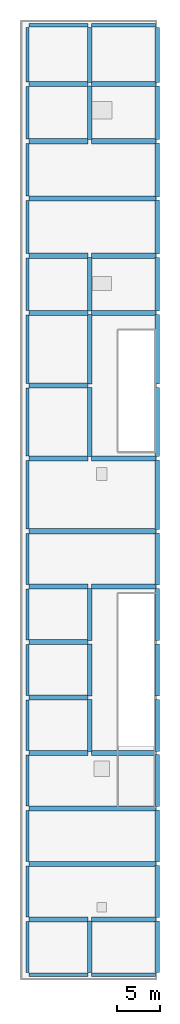
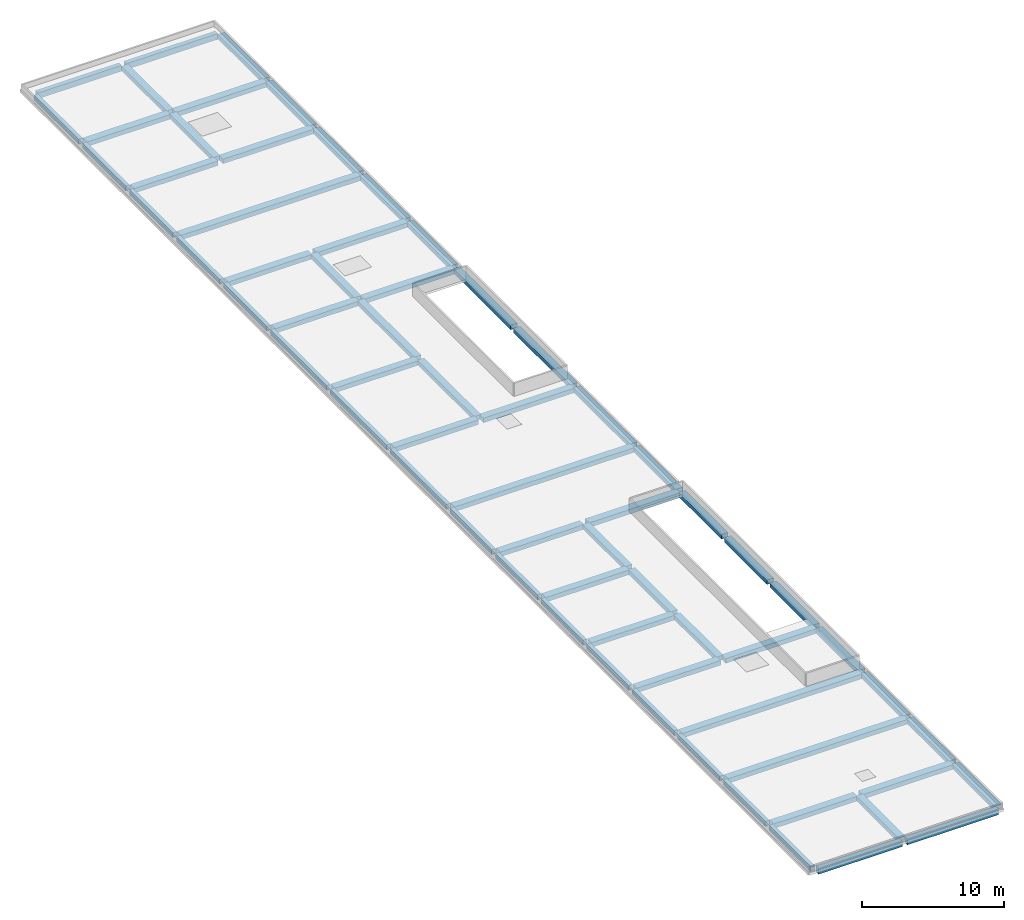
# One storey, part 1 of 3: 68 beams.
"""IFC4 building model written with IfcOpenShell, lengths in metres."""

from ifc_helpers import new_model, si_unit, derived_unit, direction, frame, origin, origin_2d, place, context, subcontext, project, spatial, rectangle, extrude, material, material_profile, profile_set, type_object, element, save


model = new_model("IFC4")

# Units and contexts
model_context = context("Model", 3, precision=1e-05, world=origin(), true_north=direction((0.0, 1.0)))
body_context = subcontext(model_context, "Body", "Model", "MODEL_VIEW")
ifc_project = project(units=[si_unit("LENGTHUNIT", "METRE"), si_unit("AREAUNIT", "SQUARE_METRE"), si_unit("VOLUMEUNIT", "CUBIC_METRE"), si_unit("PLANEANGLEUNIT", "RADIAN"), si_unit("MASSUNIT", "GRAM", prefix="KILO"), derived_unit("THERMALTRANSMITTANCEUNIT", [(si_unit("POWERUNIT", "WATT"), 1), (si_unit("LENGTHUNIT", "METRE"), -2), (si_unit("THERMODYNAMICTEMPERATUREUNIT", "KELVIN"), -1)])], contexts=[model_context])

# Site, building, storey
site_placement = place(None, origin())
site = spatial("IfcSite", under=ifc_project, at=site_placement, CompositionType="ELEMENT")
building_placement = place(site_placement, origin())
building = spatial("IfcBuilding", under=site, at=building_placement, Name="Braskholm Square Health Centre", CompositionType="ELEMENT")
storey_placement = place(building_placement, frame((0.0, 0.0, 25.64990234375)))
storey = spatial("IfcBuildingStorey", under=building, at=storey_placement, Name="ROOF", CompositionType="ELEMENT", Elevation=25.64990234375)

# Beams
ifc_material_1 = material(Name="Concrete C35/45 (f'c = 35 MPa)", Category="concrete")
ifc_material_profile_1 = material_profile(ifc_material_1, rectangle(XDim=0.550048828125, YDim=0.3798828125, at=origin_2d()), Name="RCB-550X380")
ifc_profile_set_1 = profile_set([ifc_material_profile_1], Name="Concrete C35/45 (f'c = 35 MPa)")
beam_type_1 = type_object("IfcBeamType", Name="PrimaryBandBeam550x380", PredefinedType="BEAM", material=ifc_profile_set_1)
beam_1_placement = place(storey_placement, frame((11.39990234375, 4.4599609375, -0.39990234375), z_axis=(0.0, 1.0, 0.0), x_axis=(-1.0, 0.0, 0.0)))
element("IfcBeam", 1, at=beam_1_placement, inside=storey, type_object=beam_type_1, Name="Beam 2/A-B ROOF", PredefinedType="BEAM", context=body_context, shape_type="SweptSolid", body=[
    extrude(rectangle(XDim=0.550048828125, YDim=0.3798828125, at=origin_2d()), origin(), (0.0, 0.0, 1.0), 5.93994140625),
])
for number, where, z_axis, x_axis, name in (
    (2, (11.39990234375, 30.0, -0.39990234375), (0.0, 1.0, 0.0), (-1.0, 0.0, 0.0), "Beam 2/E-F ROOF"),
    (3, (11.39990234375, 36.39990234375, -0.39990234375), (0.0, 1.0, 0.0), (-1.0, 0.0, 0.0), "Beam 2/F-G ROOF"),
    (4, (11.39990234375, 42.800048828125, -0.39990234375), (0.0, 1.0, 0.0), (-1.0, 0.0, 0.0), "Beam 2/G-H ROOF"),
):
    element("IfcBeam", number, at=place(storey_placement, frame(where, z_axis=z_axis, x_axis=x_axis)), inside=storey, type_object=beam_type_1, Name=name, PredefinedType="BEAM", context=body_context, shape_type="SweptSolid", body=[
        extrude(rectangle(XDim=0.550048828125, YDim=0.3798828125, at=origin_2d()), origin(), (0.0, 0.0, 1.0), 6.0),
    ])
for number, where, z_axis, x_axis, name in (
    (5, (11.39990234375, 64.0, -0.39990234375), (0.0, 1.0, 0.0), (-1.0, 0.0, 0.0), "Beam 2/K-L ROOF"),
    (6, (11.39990234375, 72.39990234375, -0.39990234375), (0.0, 1.0, 0.0), (-1.0, 0.0, 0.0), "Beam 2/L-M ROOF"),
):
    element("IfcBeam", number, at=place(storey_placement, frame(where, z_axis=z_axis, x_axis=x_axis)), inside=storey, type_object=beam_type_1, Name=name, PredefinedType="BEAM", context=body_context, shape_type="SweptSolid", body=[
        extrude(rectangle(XDim=0.550048828125, YDim=0.3798828125, at=origin_2d()), origin(), (0.0, 0.0, 1.0), 8.0),
    ])
for number, where, z_axis, x_axis, name in (
    (7, (11.39990234375, 80.800048828125, -0.39990234375), (0.0, 1.0, 0.0), (-1.0, 0.0, 0.0), "Beam 2/M-N ROOF"),
    (8, (11.39990234375, 100.60009765625, -0.39990234375), (0.0, 1.0, 0.0), (-1.0, 0.0, 0.0), "Beam 2/Q-R ROOF"),
):
    element("IfcBeam", number, at=place(storey_placement, frame(where, z_axis=z_axis, x_axis=x_axis)), inside=storey, type_object=beam_type_1, Name=name, PredefinedType="BEAM", context=body_context, shape_type="SweptSolid", body=[
        extrude(rectangle(XDim=0.550048828125, YDim=0.3798828125, at=origin_2d()), origin(), (0.0, 0.0, 1.0), 6.199951171875),
    ])
beam_2_placement = place(storey_placement, frame((11.39990234375, 107.199951171875, -0.39990234375), z_axis=(0.0, 1.0, 0.0), x_axis=(-1.0, 0.0, 0.0)))
element("IfcBeam", 9, at=beam_2_placement, inside=storey, type_object=beam_type_1, Name="Beam 2/R-S ROOF", PredefinedType="BEAM", context=body_context, shape_type="SweptSolid", body=[
    extrude(rectangle(XDim=0.550048828125, YDim=0.3798828125, at=origin_2d()), origin(), (0.0, 0.0, 1.0), 6.340087890625),
])
beam_3_placement = place(storey_placement, frame((19.199951171875, 4.4599609375, -0.39990234375), z_axis=(0.0, 1.0, 0.0), x_axis=(-1.0, 0.0, 0.0)))
element("IfcBeam", 10, at=beam_3_placement, inside=storey, type_object=beam_type_1, Name="Beam 3/A-B ROOF", PredefinedType="BEAM", context=body_context, shape_type="SweptSolid", body=[
    extrude(rectangle(XDim=0.550048828125, YDim=0.3798828125, at=origin_2d()), origin(), (0.0, 0.0, 1.0), 5.93994140625),
])
for number, where, z_axis, x_axis, name in (
    (11, (19.199951171875, 10.800048828125, -0.39990234375), (0.0, 1.0, 0.0), (-1.0, 0.0, 0.0), "Beam 3/B-C ROOF"),
    (12, (19.199951171875, 17.199951171875, -0.39990234375), (0.0, 1.0, 0.0), (-1.0, 0.0, 0.0), "Beam 3/C-D ROOF"),
    (13, (19.199951171875, 23.60009765625, -0.39990234375), (0.0, 1.0, 0.0), (-1.0, 0.0, 0.0), "Beam 3/D-E ROOF"),
    (14, (19.199951171875, 30.0, -0.39990234375), (0.0, 1.0, 0.0), (-1.0, 0.0, 0.0), "Beam 3/E-F ROOF"),
    (15, (19.199951171875, 36.39990234375, -0.39990234375), (0.0, 1.0, 0.0), (-1.0, 0.0, 0.0), "Beam 3/F-G ROOF"),
    (16, (19.199951171875, 42.800048828125, -0.39990234375), (0.0, 1.0, 0.0), (-1.0, 0.0, 0.0), "Beam 3/G-H ROOF"),
    (17, (19.199951171875, 49.199951171875, -0.39990234375), (0.0, 1.0, 0.0), (-1.0, 0.0, 0.0), "Beam 3/H-J ROOF"),
):
    element("IfcBeam", number, at=place(storey_placement, frame(where, z_axis=z_axis, x_axis=x_axis)), inside=storey, type_object=beam_type_1, Name=name, PredefinedType="BEAM", context=body_context, shape_type="SweptSolid", body=[
        extrude(rectangle(XDim=0.550048828125, YDim=0.3798828125, at=origin_2d()), origin(), (0.0, 0.0, 1.0), 6.0),
    ])
for number, where, z_axis, x_axis, name in (
    (18, (19.199951171875, 55.60009765625, -0.39990234375), (0.0, 1.0, 0.0), (-1.0, 0.0, 0.0), "Beam 3/J-K ROOF"),
    (19, (19.199951171875, 64.0, -0.39990234375), (0.0, 1.0, 0.0), (-1.0, 0.0, 0.0), "Beam 3/K-L ROOF"),
    (20, (19.199951171875, 72.39990234375, -0.39990234375), (0.0, 1.0, 0.0), (-1.0, 0.0, 0.0), "Beam 3/L-M ROOF"),
):
    element("IfcBeam", number, at=place(storey_placement, frame(where, z_axis=z_axis, x_axis=x_axis)), inside=storey, type_object=beam_type_1, Name=name, PredefinedType="BEAM", context=body_context, shape_type="SweptSolid", body=[
        extrude(rectangle(XDim=0.550048828125, YDim=0.3798828125, at=origin_2d()), origin(), (0.0, 0.0, 1.0), 8.0),
    ])
beam_4_placement = place(storey_placement, frame((19.199951171875, 80.800048828125, -0.39990234375), z_axis=(0.0, 1.0, 0.0), x_axis=(-1.0, 0.0, 0.0)))
element("IfcBeam", 21, at=beam_4_placement, inside=storey, type_object=beam_type_1, Name="Beam 3/M-N ROOF", PredefinedType="BEAM", context=body_context, shape_type="SweptSolid", body=[
    extrude(rectangle(XDim=0.550048828125, YDim=0.3798828125, at=origin_2d()), origin(), (0.0, 0.0, 1.0), 6.199951171875),
])
beam_5_placement = place(storey_placement, frame((19.199951171875, 87.39990234375, -0.39990234375), z_axis=(0.0, 1.0, 0.0), x_axis=(-1.0, 0.0, 0.0)))
element("IfcBeam", 22, at=beam_5_placement, inside=storey, type_object=beam_type_1, Name="Beam 3/N-P ROOF", PredefinedType="BEAM", context=body_context, shape_type="SweptSolid", body=[
    extrude(rectangle(XDim=0.550048828125, YDim=0.3798828125, at=origin_2d()), origin(), (0.0, 0.0, 1.0), 6.2001953125),
])
for number, where, z_axis, x_axis, name in (
    (23, (19.199951171875, 94.0, -0.39990234375), (0.0, 1.0, 0.0), (-1.0, 0.0, 0.0), "Beam 3/P-Q ROOF"),
    (24, (19.199951171875, 100.60009765625, -0.39990234375), (0.0, 1.0, 0.0), (-1.0, 0.0, 0.0), "Beam 3/Q-R ROOF"),
):
    element("IfcBeam", number, at=place(storey_placement, frame(where, z_axis=z_axis, x_axis=x_axis)), inside=storey, type_object=beam_type_1, Name=name, PredefinedType="BEAM", context=body_context, shape_type="SweptSolid", body=[
        extrude(rectangle(XDim=0.550048828125, YDim=0.3798828125, at=origin_2d()), origin(), (0.0, 0.0, 1.0), 6.199951171875),
    ])
beam_6_placement = place(storey_placement, frame((19.199951171875, 107.199951171875, -0.39990234375), z_axis=(0.0, 1.0, 0.0), x_axis=(-1.0, 0.0, 0.0)))
element("IfcBeam", 25, at=beam_6_placement, inside=storey, type_object=beam_type_1, Name="Beam 3/R-S ROOF", PredefinedType="BEAM", context=body_context, shape_type="SweptSolid", body=[
    extrude(rectangle(XDim=0.550048828125, YDim=0.3798828125, at=origin_2d()), origin(), (0.0, 0.0, 1.0), 6.340087890625),
])
ifc_material_profile_2 = material_profile(ifc_material_1, rectangle(XDim=0.60009765625, YDim=0.39990234375, at=origin_2d()), Name="RCB-600X400")
ifc_profile_set_2 = profile_set([ifc_material_profile_2], Name="Concrete C35/45 (f'c = 35 MPa)")
beam_type_2 = type_object("IfcBeamType", Name="PrimaryBandBeam600x400", PredefinedType="BEAM", material=ifc_profile_set_2)
beam_7_placement = place(storey_placement, frame((4.409912109375, 10.60009765625, -0.409912109375), z_axis=(1.0, 0.0, 0.0), x_axis=(0.0, 1.0, 0.0)))
element("IfcBeam", 26, at=beam_7_placement, inside=storey, type_object=beam_type_2, Name="Beam 1-2/B ROOF", PredefinedType="BEAM", context=body_context, shape_type="SweptSolid", body=[
    extrude(rectangle(XDim=0.60009765625, YDim=0.39990234375, at=origin_2d()), origin(), (0.0, 0.0, 1.0), 6.7900390625),
])
beam_8_placement = place(storey_placement, frame((11.60009765625, 10.60009765625, -0.409912109375), z_axis=(1.0, 0.0, 0.0), x_axis=(0.0, 1.0, 0.0)))
element("IfcBeam", 27, at=beam_8_placement, inside=storey, type_object=beam_type_2, Name="Beam 2-3/B ROOF", PredefinedType="BEAM", context=body_context, shape_type="SweptSolid", body=[
    extrude(rectangle(XDim=0.60009765625, YDim=0.39990234375, at=origin_2d()), origin(), (0.0, 0.0, 1.0), 7.39990234375),
])
for number, where, z_axis, x_axis, name in (
    (28, (4.409912109375, 17.0, -0.409912109375), (1.0, 0.0, 0.0), (0.0, 1.0, 0.0), "Beam 1-3/C ROOF"),
    (29, (4.409912109375, 23.39990234375, -0.409912109375), (1.0, 0.0, 0.0), (0.0, 1.0, 0.0), "Beam 1-3/D ROOF"),
):
    element("IfcBeam", number, at=place(storey_placement, frame(where, z_axis=z_axis, x_axis=x_axis)), inside=storey, type_object=beam_type_2, Name=name, PredefinedType="BEAM", context=body_context, shape_type="SweptSolid", body=[
        extrude(rectangle(XDim=0.60009765625, YDim=0.39990234375, at=origin_2d()), origin(), (0.0, 0.0, 1.0), 14.590087890625),
    ])
beam_9_placement = place(storey_placement, frame((4.409912109375, 29.800048828125, -0.409912109375), z_axis=(1.0, 0.0, 0.0), x_axis=(0.0, 1.0, 0.0)))
element("IfcBeam", 30, at=beam_9_placement, inside=storey, type_object=beam_type_2, Name="Beam 1-2/E ROOF", PredefinedType="BEAM", context=body_context, shape_type="SweptSolid", body=[
    extrude(rectangle(XDim=0.60009765625, YDim=0.39990234375, at=origin_2d()), origin(), (0.0, 0.0, 1.0), 6.7900390625),
])
beam_10_placement = place(storey_placement, frame((11.60009765625, 29.800048828125, -0.409912109375), z_axis=(1.0, 0.0, 0.0), x_axis=(0.0, 1.0, 0.0)))
element("IfcBeam", 31, at=beam_10_placement, inside=storey, type_object=beam_type_2, Name="Beam 2-3/E ROOF", PredefinedType="BEAM", context=body_context, shape_type="SweptSolid", body=[
    extrude(rectangle(XDim=0.60009765625, YDim=0.39990234375, at=origin_2d()), origin(), (0.0, 0.0, 1.0), 7.39990234375),
])
for number, where, z_axis, x_axis, name in (
    (32, (4.409912109375, 36.199951171875, -0.409912109375), (1.0, 0.0, 0.0), (0.0, 1.0, 0.0), "Beam 1-2/F ROOF"),
    (33, (4.409912109375, 42.60009765625, -0.409912109375), (1.0, 0.0, 0.0), (0.0, 1.0, 0.0), "Beam 1-2/G ROOF"),
    (34, (4.409912109375, 49.0, -0.409912109375), (1.0, 0.0, 0.0), (0.0, 1.0, 0.0), "Beam 1-2/H ROOF"),
):
    element("IfcBeam", number, at=place(storey_placement, frame(where, z_axis=z_axis, x_axis=x_axis)), inside=storey, type_object=beam_type_2, Name=name, PredefinedType="BEAM", context=body_context, shape_type="SweptSolid", body=[
        extrude(rectangle(XDim=0.60009765625, YDim=0.39990234375, at=origin_2d()), origin(), (0.0, 0.0, 1.0), 6.7900390625),
    ])
beam_11_placement = place(storey_placement, frame((11.60009765625, 49.0, -0.409912109375), z_axis=(1.0, 0.0, 0.0), x_axis=(0.0, 1.0, 0.0)))
element("IfcBeam", 35, at=beam_11_placement, inside=storey, type_object=beam_type_2, Name="Beam 2-3/H ROOF", PredefinedType="BEAM", context=body_context, shape_type="SweptSolid", body=[
    extrude(rectangle(XDim=0.60009765625, YDim=0.39990234375, at=origin_2d()), origin(), (0.0, 0.0, 1.0), 7.39990234375),
])
beam_12_placement = place(storey_placement, frame((4.409912109375, 55.39990234375, -0.409912109375), z_axis=(1.0, 0.0, 0.0), x_axis=(0.0, 1.0, 0.0)))
element("IfcBeam", 36, at=beam_12_placement, inside=storey, type_object=beam_type_2, Name="Beam 1-3/J ROOF", PredefinedType="BEAM", context=body_context, shape_type="SweptSolid", body=[
    extrude(rectangle(XDim=0.60009765625, YDim=0.39990234375, at=origin_2d()), origin(), (0.0, 0.0, 1.0), 14.590087890625),
])
beam_13_placement = place(storey_placement, frame((4.409912109375, 63.800048828125, -0.409912109375), z_axis=(1.0, 0.0, 0.0), x_axis=(0.0, 1.0, 0.0)))
element("IfcBeam", 37, at=beam_13_placement, inside=storey, type_object=beam_type_2, Name="Beam 1-2/K ROOF", PredefinedType="BEAM", context=body_context, shape_type="SweptSolid", body=[
    extrude(rectangle(XDim=0.60009765625, YDim=0.39990234375, at=origin_2d()), origin(), (0.0, 0.0, 1.0), 6.7900390625),
])
beam_14_placement = place(storey_placement, frame((11.60009765625, 63.800048828125, -0.409912109375), z_axis=(1.0, 0.0, 0.0), x_axis=(0.0, 1.0, 0.0)))
element("IfcBeam", 38, at=beam_14_placement, inside=storey, type_object=beam_type_2, Name="Beam 2-3/K ROOF", PredefinedType="BEAM", context=body_context, shape_type="SweptSolid", body=[
    extrude(rectangle(XDim=0.60009765625, YDim=0.39990234375, at=origin_2d()), origin(), (0.0, 0.0, 1.0), 7.39990234375),
])
for number, where, z_axis, x_axis, name in (
    (39, (4.409912109375, 72.199951171875, -0.409912109375), (1.0, 0.0, 0.0), (0.0, 1.0, 0.0), "Beam 1-2/L ROOF"),
    (40, (4.409912109375, 80.60009765625, -0.409912109375), (1.0, 0.0, 0.0), (0.0, 1.0, 0.0), "Beam 1-2/M ROOF"),
):
    element("IfcBeam", number, at=place(storey_placement, frame(where, z_axis=z_axis, x_axis=x_axis)), inside=storey, type_object=beam_type_2, Name=name, PredefinedType="BEAM", context=body_context, shape_type="SweptSolid", body=[
        extrude(rectangle(XDim=0.60009765625, YDim=0.39990234375, at=origin_2d()), origin(), (0.0, 0.0, 1.0), 6.7900390625),
    ])
beam_15_placement = place(storey_placement, frame((11.60009765625, 80.60009765625, -0.409912109375), z_axis=(1.0, 0.0, 0.0), x_axis=(0.0, 1.0, 0.0)))
element("IfcBeam", 41, at=beam_15_placement, inside=storey, type_object=beam_type_2, Name="Beam 2-3/M ROOF", PredefinedType="BEAM", context=body_context, shape_type="SweptSolid", body=[
    extrude(rectangle(XDim=0.60009765625, YDim=0.39990234375, at=origin_2d()), origin(), (0.0, 0.0, 1.0), 7.39990234375),
])
beam_16_placement = place(storey_placement, frame((4.409912109375, 87.199951171875, -0.409912109375), z_axis=(1.0, 0.0, 0.0), x_axis=(0.0, 1.0, 0.0)))
element("IfcBeam", 42, at=beam_16_placement, inside=storey, type_object=beam_type_2, Name="Beam 1-2/N ROOF", PredefinedType="BEAM", context=body_context, shape_type="SweptSolid", body=[
    extrude(rectangle(XDim=0.60009765625, YDim=0.39990234375, at=origin_2d()), origin(), (0.0, 0.0, 1.0), 6.7900390625),
])
beam_17_placement = place(storey_placement, frame((11.60009765625, 87.199951171875, -0.409912109375), z_axis=(1.0, 0.0, 0.0), x_axis=(0.0, 1.0, 0.0)))
element("IfcBeam", 43, at=beam_17_placement, inside=storey, type_object=beam_type_2, Name="Beam 2-3/N ROOF", PredefinedType="BEAM", context=body_context, shape_type="SweptSolid", body=[
    extrude(rectangle(XDim=0.60009765625, YDim=0.39990234375, at=origin_2d()), origin(), (0.0, 0.0, 1.0), 7.39990234375),
])
beam_18_placement = place(storey_placement, frame((4.409912109375, 93.800048828125, -0.409912109375), z_axis=(1.0, 0.0, 0.0), x_axis=(0.0, 1.0, 0.0)))
element("IfcBeam", 44, at=beam_18_placement, inside=storey, type_object=beam_type_2, Name="Beam 1-3/P ROOF", PredefinedType="BEAM", context=body_context, shape_type="SweptSolid", body=[
    extrude(rectangle(XDim=0.60009765625, YDim=0.39990234375, at=origin_2d()), origin(), (0.0, 0.0, 1.0), 14.590087890625),
])
beam_19_placement = place(storey_placement, frame((4.409912109375, 100.39990234375, -0.409912109375), z_axis=(1.0, 0.0, 0.0), x_axis=(0.0, 1.0, 0.0)))
element("IfcBeam", 45, at=beam_19_placement, inside=storey, type_object=beam_type_2, Name="Beam 1-2/Q ROOF", PredefinedType="BEAM", context=body_context, shape_type="SweptSolid", body=[
    extrude(rectangle(XDim=0.60009765625, YDim=0.39990234375, at=origin_2d()), origin(), (0.0, 0.0, 1.0), 6.7900390625),
])
beam_20_placement = place(storey_placement, frame((11.60009765625, 100.39990234375, -0.409912109375), z_axis=(1.0, 0.0, 0.0), x_axis=(0.0, 1.0, 0.0)))
element("IfcBeam", 46, at=beam_20_placement, inside=storey, type_object=beam_type_2, Name="Beam 2-3/Q ROOF", PredefinedType="BEAM", context=body_context, shape_type="SweptSolid", body=[
    extrude(rectangle(XDim=0.60009765625, YDim=0.39990234375, at=origin_2d()), origin(), (0.0, 0.0, 1.0), 7.39990234375),
])
beam_21_placement = place(storey_placement, frame((4.409912109375, 107.0, -0.409912109375), z_axis=(1.0, 0.0, 0.0), x_axis=(0.0, 1.0, 0.0)))
element("IfcBeam", 47, at=beam_21_placement, inside=storey, type_object=beam_type_2, Name="Beam 1-2/R ROOF", PredefinedType="BEAM", context=body_context, shape_type="SweptSolid", body=[
    extrude(rectangle(XDim=0.60009765625, YDim=0.39990234375, at=origin_2d()), origin(), (0.0, 0.0, 1.0), 6.7900390625),
])
beam_22_placement = place(storey_placement, frame((11.60009765625, 107.0, -0.409912109375), z_axis=(1.0, 0.0, 0.0), x_axis=(0.0, 1.0, 0.0)))
element("IfcBeam", 48, at=beam_22_placement, inside=storey, type_object=beam_type_2, Name="Beam 2-3/R ROOF", PredefinedType="BEAM", context=body_context, shape_type="SweptSolid", body=[
    extrude(rectangle(XDim=0.60009765625, YDim=0.39990234375, at=origin_2d()), origin(), (0.0, 0.0, 1.0), 7.39990234375),
])
ifc_material_2 = material(Name="Precast concrete C40/50 architectural white", Category="concrete")
ifc_material_profile_3 = material_profile(ifc_material_2, rectangle(XDim=0.340087890625, YDim=0.419921875, at=origin_2d()), Name="RCB-340X420")
ifc_profile_set_3 = profile_set([ifc_material_profile_3], Name="Precast concrete C40/50 architectural white")
beam_type_3 = type_object("IfcBeamType", Name="SpandrelCrownEdge340x420", PredefinedType="SPANDREL", material=ifc_profile_set_3)
beam_23_placement = place(storey_placement, frame((4.199951171875, 4.4599609375, -0.419921875), z_axis=(0.0, 1.0, 0.0), x_axis=(-1.0, 0.0, 0.0)))
element("IfcBeam", 49, at=beam_23_placement, inside=storey, type_object=beam_type_3, Name="Beam 1/A-B ROOF", PredefinedType="SPANDREL", context=body_context, shape_type="SweptSolid", body=[
    extrude(rectangle(XDim=0.340087890625, YDim=0.419921875, at=origin_2d()), origin(), (0.0, 0.0, 1.0), 5.880126953125),
])
for number, where, z_axis, x_axis, name in (
    (50, (4.199951171875, 10.860107421875, -0.419921875), (0.0, 1.0, 0.0), (-1.0, 0.0, 0.0), "Beam 1/B-C ROOF"),
    (51, (4.199951171875, 17.260009765625, -0.419921875), (0.0, 1.0, 0.0), (-1.0, 0.0, 0.0), "Beam 1/C-D ROOF"),
):
    element("IfcBeam", number, at=place(storey_placement, frame(where, z_axis=z_axis, x_axis=x_axis)), inside=storey, type_object=beam_type_3, Name=name, PredefinedType="SPANDREL", context=body_context, shape_type="SweptSolid", body=[
        extrude(rectangle(XDim=0.340087890625, YDim=0.419921875, at=origin_2d()), origin(), (0.0, 0.0, 1.0), 5.8798828125),
    ])
beam_24_placement = place(storey_placement, frame((4.199951171875, 23.659912109375, -0.419921875), z_axis=(0.0, 1.0, 0.0), x_axis=(-1.0, 0.0, 0.0)))
element("IfcBeam", 52, at=beam_24_placement, inside=storey, type_object=beam_type_3, Name="Beam 1/D-E ROOF", PredefinedType="SPANDREL", context=body_context, shape_type="SweptSolid", body=[
    extrude(rectangle(XDim=0.340087890625, YDim=0.419921875, at=origin_2d()), origin(), (0.0, 0.0, 1.0), 5.880126953125),
])
beam_25_placement = place(storey_placement, frame((4.199951171875, 30.06005859375, -0.419921875), z_axis=(0.0, 1.0, 0.0), x_axis=(-1.0, 0.0, 0.0)))
element("IfcBeam", 53, at=beam_25_placement, inside=storey, type_object=beam_type_3, Name="Beam 1/E-F ROOF", PredefinedType="SPANDREL", context=body_context, shape_type="SweptSolid", body=[
    extrude(rectangle(XDim=0.340087890625, YDim=0.419921875, at=origin_2d()), origin(), (0.0, 0.0, 1.0), 5.8798828125),
])
beam_26_placement = place(storey_placement, frame((4.199951171875, 36.4599609375, -0.419921875), z_axis=(0.0, 1.0, 0.0), x_axis=(-1.0, 0.0, 0.0)))
element("IfcBeam", 54, at=beam_26_placement, inside=storey, type_object=beam_type_3, Name="Beam 1/F-G ROOF", PredefinedType="SPANDREL", context=body_context, shape_type="SweptSolid", body=[
    extrude(rectangle(XDim=0.340087890625, YDim=0.419921875, at=origin_2d()), origin(), (0.0, 0.0, 1.0), 5.880126953125),
])
for number, where, z_axis, x_axis, name in (
    (55, (4.199951171875, 42.860107421875, -0.419921875), (0.0, 1.0, 0.0), (-1.0, 0.0, 0.0), "Beam 1/G-H ROOF"),
    (56, (4.199951171875, 49.260009765625, -0.419921875), (0.0, 1.0, 0.0), (-1.0, 0.0, 0.0), "Beam 1/H-J ROOF"),
):
    element("IfcBeam", number, at=place(storey_placement, frame(where, z_axis=z_axis, x_axis=x_axis)), inside=storey, type_object=beam_type_3, Name=name, PredefinedType="SPANDREL", context=body_context, shape_type="SweptSolid", body=[
        extrude(rectangle(XDim=0.340087890625, YDim=0.419921875, at=origin_2d()), origin(), (0.0, 0.0, 1.0), 5.8798828125),
    ])
beam_27_placement = place(storey_placement, frame((4.199951171875, 55.659912109375, -0.419921875), z_axis=(0.0, 1.0, 0.0), x_axis=(-1.0, 0.0, 0.0)))
element("IfcBeam", 57, at=beam_27_placement, inside=storey, type_object=beam_type_3, Name="Beam 1/J-K ROOF", PredefinedType="SPANDREL", context=body_context, shape_type="SweptSolid", body=[
    extrude(rectangle(XDim=0.340087890625, YDim=0.419921875, at=origin_2d()), origin(), (0.0, 0.0, 1.0), 7.880126953125),
])
beam_28_placement = place(storey_placement, frame((4.199951171875, 64.06005859375, -0.419921875), z_axis=(0.0, 1.0, 0.0), x_axis=(-1.0, 0.0, 0.0)))
element("IfcBeam", 58, at=beam_28_placement, inside=storey, type_object=beam_type_3, Name="Beam 1/K-L ROOF", PredefinedType="SPANDREL", context=body_context, shape_type="SweptSolid", body=[
    extrude(rectangle(XDim=0.340087890625, YDim=0.419921875, at=origin_2d()), origin(), (0.0, 0.0, 1.0), 7.8798828125),
])
beam_29_placement = place(storey_placement, frame((4.199951171875, 72.4599609375, -0.419921875), z_axis=(0.0, 1.0, 0.0), x_axis=(-1.0, 0.0, 0.0)))
element("IfcBeam", 59, at=beam_29_placement, inside=storey, type_object=beam_type_3, Name="Beam 1/L-M ROOF", PredefinedType="SPANDREL", context=body_context, shape_type="SweptSolid", body=[
    extrude(rectangle(XDim=0.340087890625, YDim=0.419921875, at=origin_2d()), origin(), (0.0, 0.0, 1.0), 7.880126953125),
])
beam_30_placement = place(storey_placement, frame((4.199951171875, 80.860107421875, -0.419921875), z_axis=(0.0, 1.0, 0.0), x_axis=(-1.0, 0.0, 0.0)))
element("IfcBeam", 60, at=beam_30_placement, inside=storey, type_object=beam_type_3, Name="Beam 1/M-N ROOF", PredefinedType="SPANDREL", context=body_context, shape_type="SweptSolid", body=[
    extrude(rectangle(XDim=0.340087890625, YDim=0.419921875, at=origin_2d()), origin(), (0.0, 0.0, 1.0), 6.079833984375),
])
beam_31_placement = place(storey_placement, frame((4.199951171875, 87.4599609375, -0.419921875), z_axis=(0.0, 1.0, 0.0), x_axis=(-1.0, 0.0, 0.0)))
element("IfcBeam", 61, at=beam_31_placement, inside=storey, type_object=beam_type_3, Name="Beam 1/N-P ROOF", PredefinedType="SPANDREL", context=body_context, shape_type="SweptSolid", body=[
    extrude(rectangle(XDim=0.340087890625, YDim=0.419921875, at=origin_2d()), origin(), (0.0, 0.0, 1.0), 6.080078125),
])
beam_32_placement = place(storey_placement, frame((4.199951171875, 94.06005859375, -0.419921875), z_axis=(0.0, 1.0, 0.0), x_axis=(-1.0, 0.0, 0.0)))
element("IfcBeam", 62, at=beam_32_placement, inside=storey, type_object=beam_type_3, Name="Beam 1/P-Q ROOF", PredefinedType="SPANDREL", context=body_context, shape_type="SweptSolid", body=[
    extrude(rectangle(XDim=0.340087890625, YDim=0.419921875, at=origin_2d()), origin(), (0.0, 0.0, 1.0), 6.079833984375),
])
beam_33_placement = place(storey_placement, frame((4.199951171875, 100.659912109375, -0.419921875), z_axis=(0.0, 1.0, 0.0), x_axis=(-1.0, 0.0, 0.0)))
element("IfcBeam", 63, at=beam_33_placement, inside=storey, type_object=beam_type_3, Name="Beam 1/Q-R ROOF", PredefinedType="SPANDREL", context=body_context, shape_type="SweptSolid", body=[
    extrude(rectangle(XDim=0.340087890625, YDim=0.419921875, at=origin_2d()), origin(), (0.0, 0.0, 1.0), 6.080078125),
])
beam_34_placement = place(storey_placement, frame((4.199951171875, 107.260009765625, -0.419921875), z_axis=(0.0, 1.0, 0.0), x_axis=(-1.0, 0.0, 0.0)))
element("IfcBeam", 64, at=beam_34_placement, inside=storey, type_object=beam_type_3, Name="Beam 1/R-S ROOF", PredefinedType="SPANDREL", context=body_context, shape_type="SweptSolid", body=[
    extrude(rectangle(XDim=0.340087890625, YDim=0.419921875, at=origin_2d()), origin(), (0.0, 0.0, 1.0), 6.280029296875),
])
ifc_material_profile_4 = material_profile(ifc_material_2, rectangle(XDim=0.3798828125, YDim=0.5, at=origin_2d()), Name="RCB-380X500")
ifc_profile_set_4 = profile_set([ifc_material_profile_4], Name="Precast concrete C40/50 architectural white")
beam_type_4 = type_object("IfcBeamType", Name="SpandrelPrecastEdge380x500", PredefinedType="SPANDREL", material=ifc_profile_set_4)
beam_35_placement = place(storey_placement, frame((4.409912109375, 4.199951171875, -0.4599609375), z_axis=(1.0, 0.0, 0.0), x_axis=(0.0, 1.0, 0.0)))
element("IfcBeam", 65, at=beam_35_placement, inside=storey, type_object=beam_type_4, Name="Beam 1-2/A ROOF", PredefinedType="SPANDREL", context=body_context, shape_type="SweptSolid", body=[
    extrude(rectangle(XDim=0.3798828125, YDim=0.5, at=origin_2d()), origin(), (0.0, 0.0, 1.0), 6.780029296875),
])
beam_36_placement = place(storey_placement, frame((11.610107421875, 4.199951171875, -0.4599609375), z_axis=(1.0, 0.0, 0.0), x_axis=(0.0, 1.0, 0.0)))
element("IfcBeam", 66, at=beam_36_placement, inside=storey, type_object=beam_type_4, Name="Beam 2-3/A ROOF", PredefinedType="SPANDREL", context=body_context, shape_type="SweptSolid", body=[
    extrude(rectangle(XDim=0.3798828125, YDim=0.5, at=origin_2d()), origin(), (0.0, 0.0, 1.0), 7.3798828125),
])
beam_37_placement = place(storey_placement, frame((4.409912109375, 113.800048828125, -0.4599609375), z_axis=(1.0, 0.0, 0.0), x_axis=(0.0, 1.0, 0.0)))
element("IfcBeam", 67, at=beam_37_placement, inside=storey, type_object=beam_type_4, Name="Beam 1-2/S ROOF", PredefinedType="SPANDREL", context=body_context, shape_type="SweptSolid", body=[
    extrude(rectangle(XDim=0.3798828125, YDim=0.5, at=origin_2d()), origin(), (0.0, 0.0, 1.0), 6.780029296875),
])
beam_38_placement = place(storey_placement, frame((11.610107421875, 113.800048828125, -0.4599609375), z_axis=(1.0, 0.0, 0.0), x_axis=(0.0, 1.0, 0.0)))
element("IfcBeam", 68, at=beam_38_placement, inside=storey, type_object=beam_type_4, Name="Beam 2-3/S ROOF", PredefinedType="SPANDREL", context=body_context, shape_type="SweptSolid", body=[
    extrude(rectangle(XDim=0.3798828125, YDim=0.5, at=origin_2d()), origin(), (0.0, 0.0, 1.0), 7.3798828125),
])

save(model, "model.ifc")
